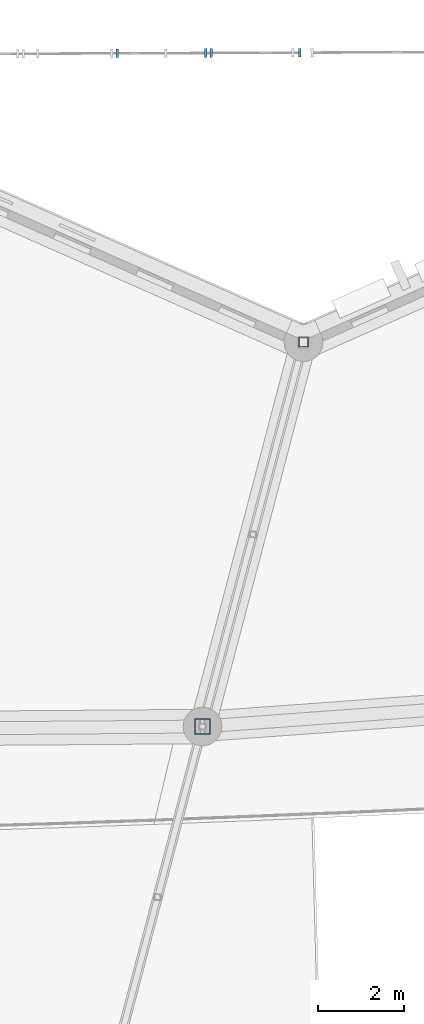
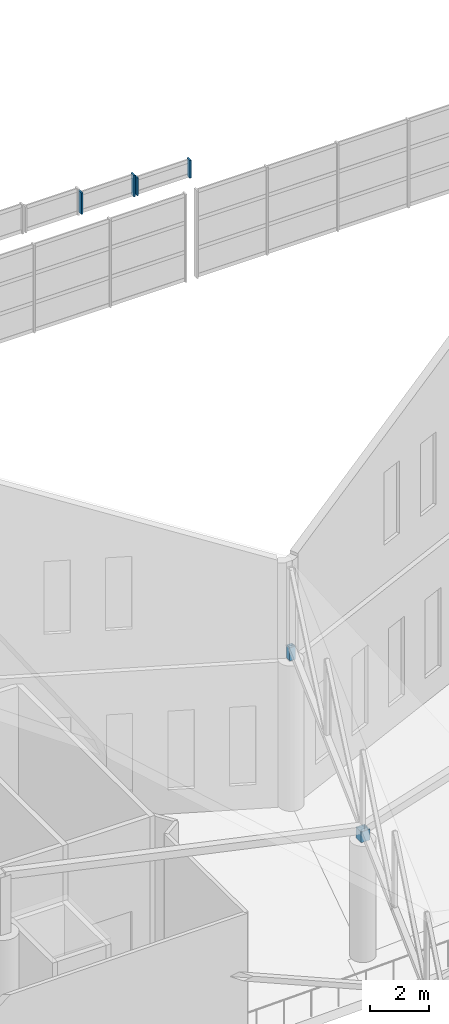
# One storey, part 221 of 344: 6 members, 2 elements without a shape of their own.
"""IFC4 building model written with IfcOpenShell, lengths in metres."""

from ifc_helpers import new_model, si_unit, direction, frame, origin, origin_2d, place, context, subcontext, project, spatial, rectangle, hollow_rectangle, extrude, material, layer, layer_set, material_profile, profile_set, type_object, element, aggregate, save


model = new_model("IFC4")

# Units and contexts
model_context = context("Model", 3, precision=1e-05, world=origin(), true_north=direction((0.0, 1.0)))
body_context = subcontext(model_context, "Body", "Model", "MODEL_VIEW")
ifc_project = project(units=[si_unit("LENGTHUNIT", "METRE"), si_unit("AREAUNIT", "SQUARE_METRE"), si_unit("VOLUMEUNIT", "CUBIC_METRE"), si_unit("PLANEANGLEUNIT", "RADIAN"), si_unit("MASSUNIT", "GRAM", prefix="KILO")], contexts=[model_context])

# Site, building, storey
site_placement = place(None, origin())
site = spatial("IfcSite", under=ifc_project, at=site_placement, CompositionType="ELEMENT")
building_placement = place(site_placement, origin())
building = spatial("IfcBuilding", under=site, at=building_placement, Name="Meseta Stadium", CompositionType="ELEMENT")
storey_placement = place(building_placement, frame((0.0, 0.0, 24.0)))
storey = spatial("IfcBuildingStorey", under=building, at=storey_placement, Name="L04", CompositionType="ELEMENT", Elevation=24.0)

# Curtain wall, members
ifc_material_1 = material(Name="Aluminium", Category="aluminium")
ifc_layer = layer(ifc_material_1, 0.199951171875)
ifc_layer_set = layer_set([ifc_layer], Name="Gable glazing curtain wall")
curtain_wall_type = type_object("IfcCurtainWallType", Name="Gable glazing curtain wall", PredefinedType="NOTDEFINED", material=ifc_layer_set)
curtain_wall_1_placement = place(storey_placement, origin())
curtain_wall_1 = element("IfcCurtainWall", 1, at=curtain_wall_1_placement, inside=storey, type_object=curtain_wall_type, Name="Gable glazing north bay 08", PredefinedType="NOTDEFINED")
ifc_material_2 = material(Name="Aluminium", Category="aluminium")
ifc_material_profile_1 = material_profile(ifc_material_2, rectangle(XDim=0.199951171875, YDim=0.06005859375, at=origin_2d()), Name="CW 200x60")
ifc_profile_set_1 = profile_set([ifc_material_profile_1], Name="Aluminium")
member_type_1 = type_object("IfcMemberType", Name="CW mullion 60x200", PredefinedType="MULLION", material=ifc_profile_set_1)
member_1_placement = place(storey_placement, frame((22.912109375, 105.340576171875, 21.85498046875), z_axis=(0.0, 0.0, 1.0), x_axis=(0.003847534233, -0.999992598213, 0.0)))
member_1 = element("IfcMember", 2, at=member_1_placement, type_object=member_type_1, Name="CWG mullion 1", PredefinedType="MULLION", context=body_context, shape_type="SweptSolid", body=[
    extrude(rectangle(XDim=0.199951171875, YDim=0.06005859375, at=origin_2d()), origin(), (0.0, 0.0, 1.0), 0.73681640625),
])
member_2_placement = place(storey_placement, frame((20.849365234375, 105.332763671875, 21.85498046875), z_axis=(0.0, 0.0, 1.0), x_axis=(0.003847534233, -0.999992598213, 0.0)))
member_2 = element("IfcMember", 3, at=member_2_placement, type_object=member_type_1, Name="CWG mullion 2", PredefinedType="MULLION", context=body_context, shape_type="SweptSolid", body=[
    extrude(rectangle(XDim=0.199951171875, YDim=0.06005859375, at=origin_2d()), origin(), (0.0, 0.0, 1.0), 0.73681640625),
])
aggregate(curtain_wall_1, [member_1, member_2])

curtain_wall_2_placement = place(storey_placement, origin())
curtain_wall_2 = element("IfcCurtainWall", 4, at=curtain_wall_2_placement, inside=storey, type_object=curtain_wall_type, Name="Gable glazing north bay 09", PredefinedType="NOTDEFINED")
member_3_placement = place(storey_placement, frame((20.725341796875, 105.332275390625, 21.85498046875), z_axis=(0.0, 0.0, 1.0), x_axis=(0.003847534233, -0.999992598213, 0.0)))
member_3 = element("IfcMember", 5, at=member_3_placement, type_object=member_type_1, Name="CWG mullion 1", PredefinedType="MULLION", context=body_context, shape_type="SweptSolid", body=[
    extrude(rectangle(XDim=0.199951171875, YDim=0.06005859375, at=origin_2d()), origin(), (0.0, 0.0, 1.0), 0.88916015625),
])
member_4_placement = place(storey_placement, frame((18.66259765625, 105.32421875, 21.85498046875), z_axis=(0.0, 0.0, 1.0), x_axis=(0.003847534233, -0.999992598213, 0.0)))
member_4 = element("IfcMember", 6, at=member_4_placement, type_object=member_type_1, Name="CWG mullion 2", PredefinedType="MULLION", context=body_context, shape_type="SweptSolid", body=[
    extrude(rectangle(XDim=0.199951171875, YDim=0.06005859375, at=origin_2d()), origin(), (0.0, 0.0, 1.0), 0.88916015625),
])
aggregate(curtain_wall_2, [member_3, member_4])

# Members
ifc_material_3 = material(Name="Steel S355", Category="steel")
ifc_material_profile_2 = material_profile(ifc_material_3, hollow_rectangle(XDim=0.219970703125, YDim=0.219970703125, WallThickness=0.008056640625, at=origin_2d()), Name="SHS 220x220x8")
ifc_profile_set_2 = profile_set([ifc_material_profile_2], Name="Steel S355")
member_type_2 = type_object("IfcMemberType", Name="SHS 220x220x8 rim post", PredefinedType="POST", material=ifc_profile_set_2)
member_5_placement = place(storey_placement, frame((23.0, 98.60009765625, 6.0), z_axis=(0.0, 0.0, 1.0), x_axis=(1.0, 0.0, 0.0)))
element("IfcMember", 7, at=member_5_placement, inside=storey, type_object=member_type_2, Name="ROOF RIM POST RT-17", PredefinedType="POST", context=body_context, shape_type="SweptSolid", body=[
    extrude(hollow_rectangle(XDim=0.219970703125, YDim=0.219970703125, WallThickness=0.008056640625, at=origin_2d()), origin(), (0.0, 0.0, 1.0), 0.540283203125),
])
ifc_material_4 = material(Name="Steel S355", Category="steel")
ifc_material_profile_3 = material_profile(ifc_material_4, hollow_rectangle(XDim=0.35009765625, YDim=0.35009765625, WallThickness=0.010009765625, at=origin_2d()), Name="SHS 350x350x10")
ifc_profile_set_3 = profile_set([ifc_material_profile_3], Name="Steel S355")
member_type_3 = type_object("IfcMemberType", Name="SHS 350x350x10 pedestal", PredefinedType="POST", material=ifc_profile_set_3)
member_6_placement = place(storey_placement, frame((20.649658203125, 89.65625, 4.800048828125), z_axis=(0.0, 0.0, 1.0), x_axis=(1.0, 0.0, 0.0)))
element("IfcMember", 8, at=member_6_placement, inside=storey, type_object=member_type_3, Name="ROOF TRUSS RT-17 pedestal", PredefinedType="POST", context=body_context, shape_type="SweptSolid", body=[
    extrude(hollow_rectangle(XDim=0.35009765625, YDim=0.35009765625, WallThickness=0.010009765625, at=origin_2d()), origin(), (0.0, 0.0, 1.0), 0.44775390625),
])

save(model, "model.ifc")
